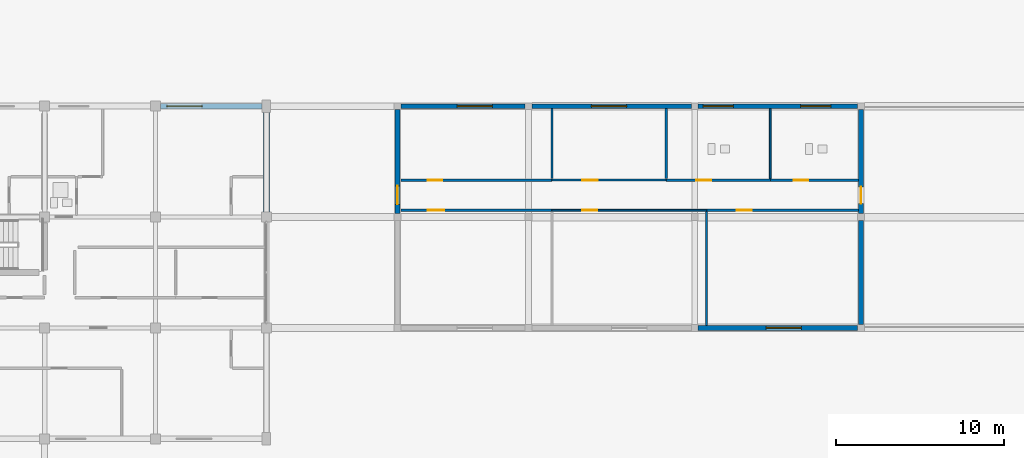
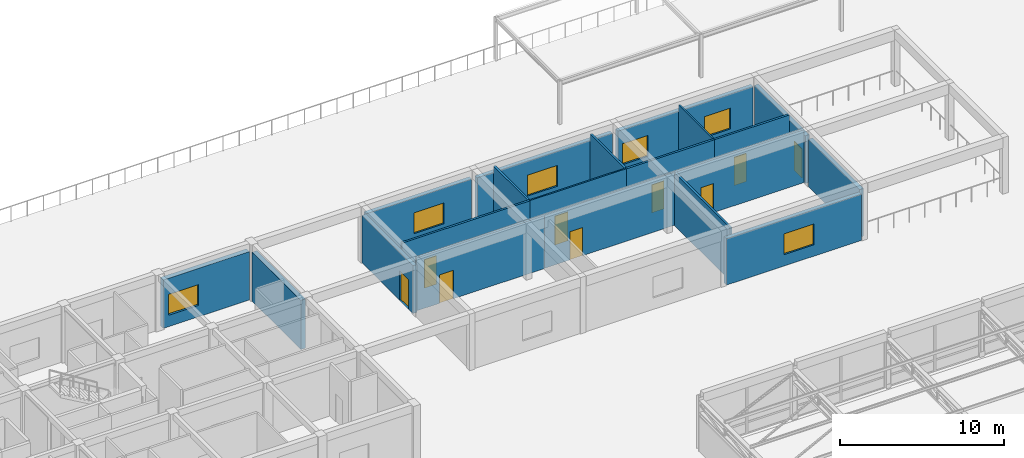
# One storey, part 74 of 92: 20 walls, 9 doors, 6 windows, 15 openings.
"""IFC4 building model written with IfcOpenShell, lengths in metres."""

from ifc_helpers import new_model, si_unit, direction, frame, frame_2d, origin, place, context, subcontext, project, spatial, rectangle, extrude, material, layer, layer_set, type_object, element, fill, save


model = new_model("IFC4")

# Units and contexts
model_context = context("Model", 3, precision=1e-05, world=origin(), true_north=direction((0.0, 1.0)))
body_context = subcontext(model_context, "Body", "Model", "MODEL_VIEW")
ifc_project = project(units=[si_unit("LENGTHUNIT", "METRE"), si_unit("AREAUNIT", "SQUARE_METRE"), si_unit("VOLUMEUNIT", "CUBIC_METRE"), si_unit("PLANEANGLEUNIT", "RADIAN"), si_unit("MASSUNIT", "GRAM", prefix="KILO")], contexts=[model_context])

# Site, building, storey
site_placement = place(None, origin())
site = spatial("IfcSite", under=ifc_project, at=site_placement, CompositionType="ELEMENT")
building_placement = place(site_placement, origin())
building = spatial("IfcBuilding", under=site, at=building_placement, Name="Kernevlak Ridge Housing Community", CompositionType="ELEMENT")
storey_placement = place(building_placement, frame((0.0, 0.0, 4.199951171875)))
storey = spatial("IfcBuildingStorey", under=building, at=storey_placement, Name="L01", CompositionType="ELEMENT", Elevation=4.199951171875)

# Wall, opening, window
ifc_material_1 = material(Name="Concrete block masonry M10", Category="masonry")
ifc_layer_1 = layer(ifc_material_1, 0.280029296875, Name="Concrete block masonry M10")
ifc_layer_set_1 = layer_set([ifc_layer_1], Name="Concrete block masonry M10")
wall_type_1 = type_object("IfcWallType", Name="EW-03", PredefinedType="STANDARD", material=ifc_layer_set_1)
wall_1_placement = place(storey_placement, frame((56.60009765625, 95.800048828125, 0.0), z_axis=(0.0, 0.0, 1.0), x_axis=(1.0, 0.0, 0.0)))
wall_1 = element("IfcWall", 1, at=wall_1_placement, inside=storey, type_object=wall_type_1, Name="Exterior wall EW-03 L01 920", PredefinedType="STANDARD", context=body_context, shape_type="SweptSolid", body=[
    extrude(rectangle(XDim=7.39990234375, YDim=0.280029296875, at=frame_2d((3.699951171875, 0.0))), origin(), (0.0, 0.0, 1.0), 3.5),
])
opening_1_placement = place(wall_1_placement, frame((3.35009765625, 0.0, 0.85009765625)))
opening_1 = element("IfcOpeningElement", 2, at=opening_1_placement, cuts=wall_1, Name="Opening WT-05", PredefinedType="OPENING", context=body_context, shape_type="SweptSolid", body=[
    extrude(rectangle(XDim=2.10009765625, YDim=1.550048828125, at=frame_2d((1.050048828125, 0.77490234375))), frame((0.0, 0.14990234375, 0.0), z_axis=(0.0, -1.0, 0.0), x_axis=(1.0, 0.0, 0.0)), (0.0, 0.0, 1.0), 0.300048828125),
])
ifc_material_2 = material(Name="Aluminium EN AW-6060 anodised and laminated glass", Category="aluminium")
window_type_1 = type_object("IfcWindowType", Name="WT-05", PartitioningType="SINGLE_PANEL", PredefinedType="WINDOW", material=ifc_material_2)
window_1_placement = place(opening_1_placement, origin())
window_1 = element("IfcWindow", 3, at=window_1_placement, inside=storey, type_object=window_type_1, Name="Window WT-05 L01 702", OverallHeight=1.550048828125, OverallWidth=2.10009765625, PartitioningType="SINGLE_PANEL", PredefinedType="WINDOW", context=body_context, shape_type="SweptSolid", body=[
    extrude(rectangle(XDim=2.10009765625, YDim=1.550048828125, at=frame_2d((1.050048828125, 0.77490234375))), frame((0.0, 0.030029296875, 0.0), z_axis=(0.0, -1.0, 0.0), x_axis=(1.0, 0.0, 0.0)), (0.0, 0.0, 1.0), 0.06005859375),
])
fill(opening_1, window_1)

wall_2_placement = place(storey_placement, frame((64.39990234375, 95.800048828125, 0.0), z_axis=(0.0, 0.0, 1.0), x_axis=(1.0, 0.0, 0.0)))
wall_2 = element("IfcWall", 4, at=wall_2_placement, inside=storey, type_object=wall_type_1, Name="Exterior wall EW-03 L01 922", PredefinedType="STANDARD", context=body_context, shape_type="SweptSolid", body=[
    extrude(rectangle(XDim=9.5, YDim=0.280029296875, at=frame_2d((4.75, 0.0))), origin(), (0.0, 0.0, 1.0), 3.449951171875),
])
opening_2_placement = place(wall_2_placement, frame((3.550048828125, 0.0, 0.85009765625)))
opening_2 = element("IfcOpeningElement", 5, at=opening_2_placement, cuts=wall_2, Name="Opening WT-05", PredefinedType="OPENING", context=body_context, shape_type="SweptSolid", body=[
    extrude(rectangle(XDim=2.10009765625, YDim=1.550048828125, at=frame_2d((1.050048828125, 0.77490234375))), frame((0.0, 0.14990234375, 0.0), z_axis=(0.0, -1.0, 0.0), x_axis=(1.0, 0.0, 0.0)), (0.0, 0.0, 1.0), 0.300048828125),
])
window_2_placement = place(opening_2_placement, origin())
window_2 = element("IfcWindow", 6, at=window_2_placement, inside=storey, type_object=window_type_1, Name="Window WT-05 L01 703", OverallHeight=1.550048828125, OverallWidth=2.10009765625, PartitioningType="SINGLE_PANEL", PredefinedType="WINDOW", context=body_context, shape_type="SweptSolid", body=[
    extrude(rectangle(XDim=2.10009765625, YDim=1.550048828125, at=frame_2d((1.050048828125, 0.77490234375))), frame((0.0, 0.030029296875, 0.0), z_axis=(0.0, -1.0, 0.0), x_axis=(1.0, 0.0, 0.0)), (0.0, 0.0, 1.0), 0.06005859375),
])
fill(opening_2, window_2)

wall_3_placement = place(storey_placement, frame((74.300048828125, 82.60009765625, 0.0), z_axis=(0.0, 0.0, 1.0), x_axis=(1.0, 0.0, 0.0)))
wall_3 = element("IfcWall", 7, at=wall_3_placement, inside=storey, type_object=wall_type_1, Name="Exterior wall EW-03 L01 923", PredefinedType="STANDARD", context=body_context, shape_type="SweptSolid", body=[
    extrude(rectangle(XDim=9.5, YDim=0.280029296875, at=frame_2d((4.75, 0.0))), origin(), (0.0, 0.0, 1.0), 3.449951171875),
])
opening_3_placement = place(wall_3_placement, frame((4.050048828125, 0.0, 0.85009765625)))
opening_3 = element("IfcOpeningElement", 8, at=opening_3_placement, cuts=wall_3, Name="Opening WT-05", PredefinedType="OPENING", context=body_context, shape_type="SweptSolid", body=[
    extrude(rectangle(XDim=2.10009765625, YDim=1.550048828125, at=frame_2d((1.050048828125, 0.77490234375))), frame((0.0, 0.14990234375, 0.0), z_axis=(0.0, -1.0, 0.0), x_axis=(1.0, 0.0, 0.0)), (0.0, 0.0, 1.0), 0.300048828125),
])
window_3_placement = place(opening_3_placement, origin())
window_3 = element("IfcWindow", 9, at=window_3_placement, inside=storey, type_object=window_type_1, Name="Window WT-05 L01 701", OverallHeight=1.550048828125, OverallWidth=2.10009765625, PartitioningType="SINGLE_PANEL", PredefinedType="WINDOW", context=body_context, shape_type="SweptSolid", body=[
    extrude(rectangle(XDim=2.10009765625, YDim=1.550048828125, at=frame_2d((1.050048828125, 0.77490234375))), frame((0.0, 0.030029296875, 0.0), z_axis=(0.0, -1.0, 0.0), x_axis=(1.0, 0.0, 0.0)), (0.0, 0.0, 1.0), 0.06005859375),
])
fill(opening_3, window_3)

# Wall, openings, windows
wall_4_placement = place(storey_placement, frame((74.300048828125, 95.800048828125, 0.0), z_axis=(0.0, 0.0, 1.0), x_axis=(1.0, 0.0, 0.0)))
wall_4 = element("IfcWall", 10, at=wall_4_placement, inside=storey, type_object=wall_type_1, Name="Exterior wall EW-03 L01 924", PredefinedType="STANDARD", context=body_context, shape_type="SweptSolid", body=[
    extrude(rectangle(XDim=9.5, YDim=0.280029296875, at=frame_2d((4.75, 0.0))), origin(), (0.0, 0.0, 1.0), 3.449951171875),
])
opening_4_placement = place(wall_4_placement, frame((0.300048828125, 0.0, 0.85009765625)))
opening_4 = element("IfcOpeningElement", 11, at=opening_4_placement, cuts=wall_4, Name="Opening WT-04", PredefinedType="OPENING", context=body_context, shape_type="SweptSolid", body=[
    extrude(rectangle(XDim=1.800048828125, YDim=1.550048828125, at=frame_2d((0.89990234375, 0.77490234375))), frame((0.0, 0.14990234375, 0.0), z_axis=(0.0, -1.0, 0.0), x_axis=(1.0, 0.0, 0.0)), (0.0, 0.0, 1.0), 0.300048828125),
])
opening_5_placement = place(wall_4_placement, frame((6.10009765625, 0.0, 0.85009765625)))
opening_5 = element("IfcOpeningElement", 12, at=opening_5_placement, cuts=wall_4, Name="Opening WT-04", PredefinedType="OPENING", context=body_context, shape_type="SweptSolid", body=[
    extrude(rectangle(XDim=1.800048828125, YDim=1.550048828125, at=frame_2d((0.89990234375, 0.77490234375))), frame((0.0, 0.14990234375, 0.0), z_axis=(0.0, -1.0, 0.0), x_axis=(1.0, 0.0, 0.0)), (0.0, 0.0, 1.0), 0.300048828125),
])
window_type_2 = type_object("IfcWindowType", Name="WT-04", PartitioningType="SINGLE_PANEL", PredefinedType="WINDOW", material=ifc_material_2)
window_4_placement = place(opening_4_placement, origin())
window_4 = element("IfcWindow", 13, at=window_4_placement, inside=storey, type_object=window_type_2, Name="Window WT-04 L01 704", OverallHeight=1.550048828125, OverallWidth=1.800048828125, PartitioningType="SINGLE_PANEL", PredefinedType="WINDOW", context=body_context, shape_type="SweptSolid", body=[
    extrude(rectangle(XDim=1.800048828125, YDim=1.550048828125, at=frame_2d((0.89990234375, 0.77490234375))), frame((0.0, 0.030029296875, 0.0), z_axis=(0.0, -1.0, 0.0), x_axis=(1.0, 0.0, 0.0)), (0.0, 0.0, 1.0), 0.06005859375),
])
fill(opening_4, window_4)
window_5_placement = place(opening_5_placement, origin())
window_5 = element("IfcWindow", 14, at=window_5_placement, inside=storey, type_object=window_type_2, Name="Window WT-04 L01 705", OverallHeight=1.550048828125, OverallWidth=1.800048828125, PartitioningType="SINGLE_PANEL", PredefinedType="WINDOW", context=body_context, shape_type="SweptSolid", body=[
    extrude(rectangle(XDim=1.800048828125, YDim=1.550048828125, at=frame_2d((0.89990234375, 0.77490234375))), frame((0.0, 0.030029296875, 0.0), z_axis=(0.0, -1.0, 0.0), x_axis=(1.0, 0.0, 0.0)), (0.0, 0.0, 1.0), 0.06005859375),
])
fill(opening_5, window_5)

# Wall, opening, door
wall_5_placement = place(storey_placement, frame((56.39990234375, 89.39990234375, 0.0), z_axis=(0.0, 0.0, 1.0), x_axis=(0.0, 1.0, 0.0)))
wall_5 = element("IfcWall", 15, at=wall_5_placement, inside=storey, type_object=wall_type_1, Name="Exterior wall EW-03 L01 926", PredefinedType="STANDARD", context=body_context, shape_type="SweptSolid", body=[
    extrude(rectangle(XDim=6.2001953125, YDim=0.280029296875, at=frame_2d((3.10009765625, 0.0))), origin(), (0.0, 0.0, 1.0), 3.550048828125),
])
opening_6_placement = place(wall_5_placement, frame((0.550048828125, 0.0, 0.0)))
opening_6 = element("IfcOpeningElement", 16, at=opening_6_placement, cuts=wall_5, Name="Opening E826", PredefinedType="OPENING", context=body_context, shape_type="SweptSolid", body=[
    extrude(rectangle(XDim=1.10009765625, YDim=2.199951171875, at=frame_2d((0.550048828125, 1.10009765625))), frame((0.0, 0.14990234375, 0.0), z_axis=(0.0, -1.0, 0.0), x_axis=(1.0, 0.0, 0.0)), (0.0, 0.0, 1.0), 0.300048828125),
])
ifc_material_3 = material(Name="Aluminium EN AW-6060 and laminated safety glass", Category="aluminium")
door_type_1 = type_object("IfcDoorType", Name="DT-11", OperationType="NOTDEFINED", PredefinedType="DOOR", material=ifc_material_3)
door_1_placement = place(opening_6_placement, origin())
door_1 = element("IfcDoor", 17, at=door_1_placement, inside=storey, type_object=door_type_1, Name="Community Nursery main plaza entrance E826", OperationType="SINGLE_SWING_LEFT", OverallHeight=2.199951171875, OverallWidth=1.10009765625, PredefinedType="DOOR", context=body_context, shape_type="SweptSolid", body=[
    extrude(rectangle(XDim=1.10009765625, YDim=2.199951171875, at=frame_2d((0.550048828125, 1.10009765625))), frame((0.0, 0.02490234375, 0.0), z_axis=(0.0, -1.0, 0.0), x_axis=(1.0, 0.0, 0.0)), (0.0, 0.0, 1.0), 0.050048828125),
])
fill(opening_6, door_1)

# Wall
wall_6_placement = place(storey_placement, frame((84.0, 82.800048828125, 0.0), z_axis=(0.0, 0.0, 1.0), x_axis=(0.0, 1.0, 0.0)))
element("IfcWall", 18, at=wall_6_placement, inside=storey, type_object=wall_type_1, Name="Exterior wall EW-03 L01 927", PredefinedType="STANDARD", context=body_context, shape_type="SweptSolid", body=[
    extrude(rectangle(XDim=6.199951171875, YDim=0.280029296875, at=frame_2d((3.10009765625, 0.0))), origin(), (0.0, 0.0, 1.0), 3.550048828125),
])

# Wall, opening, door
wall_7_placement = place(storey_placement, frame((84.0, 89.39990234375, 0.0), z_axis=(0.0, 0.0, 1.0), x_axis=(0.0, 1.0, 0.0)))
wall_7 = element("IfcWall", 19, at=wall_7_placement, inside=storey, type_object=wall_type_1, Name="Exterior wall EW-03 L01 928", PredefinedType="STANDARD", context=body_context, shape_type="SweptSolid", body=[
    extrude(rectangle(XDim=6.2001953125, YDim=0.280029296875, at=frame_2d((3.10009765625, 0.0))), origin(), (0.0, 0.0, 1.0), 3.550048828125),
])
opening_7_placement = place(wall_7_placement, frame((0.60009765625, 0.0, 0.0)))
opening_7 = element("IfcOpeningElement", 20, at=opening_7_placement, cuts=wall_7, Name="Opening E827", PredefinedType="OPENING", context=body_context, shape_type="SweptSolid", body=[
    extrude(rectangle(XDim=1.0, YDim=2.14990234375, at=frame_2d((0.5, 1.074951171875))), frame((0.0, 0.14990234375, 0.0), z_axis=(0.0, -1.0, 0.0), x_axis=(1.0, 0.0, 0.0)), (0.0, 0.0, 1.0), 0.300048828125),
])
door_type_2 = type_object("IfcDoorType", Name="DT-08", OperationType="NOTDEFINED", PredefinedType="DOOR", material=ifc_material_3)
door_2_placement = place(opening_7_placement, origin())
door_2 = element("IfcDoor", 21, at=door_2_placement, inside=storey, type_object=door_type_2, Name="Nursery outdoor play terrace glazed door E827", OperationType="SINGLE_SWING_RIGHT", OverallHeight=2.14990234375, OverallWidth=1.0, PredefinedType="DOOR", context=body_context, shape_type="SweptSolid", body=[
    extrude(rectangle(XDim=1.0, YDim=2.14990234375, at=frame_2d((0.5, 1.074951171875))), frame((0.0, 0.02490234375, 0.0), z_axis=(0.0, -1.0, 0.0), x_axis=(1.0, 0.0, 0.0)), (0.0, 0.0, 1.0), 0.050048828125),
])
fill(opening_7, door_2)

# Wall, opening, window
ifc_layer_2 = layer(ifc_material_1, 0.340087890625, Name="Concrete block masonry M10")
ifc_layer_set_2 = layer_set([ifc_layer_2], Name="Concrete block masonry M10")
wall_type_2 = type_object("IfcWallType", Name="EW-04", PredefinedType="STANDARD", material=ifc_layer_set_2)
wall_8_placement = place(storey_placement, frame((42.300048828125, 95.800048828125, 0.0), z_axis=(0.0, 0.0, 1.0), x_axis=(1.0, 0.0, 0.0)))
wall_8 = element("IfcWall", 22, at=wall_8_placement, inside=storey, type_object=wall_type_2, Name="Exterior wall EW-04 L01 24", PredefinedType="STANDARD", context=body_context, shape_type="SweptSolid", body=[
    extrude(rectangle(XDim=6.050048828125, YDim=0.340087890625, at=frame_2d((3.02490234375, 0.0))), origin(), (0.0, 0.0, 1.0), 3.60009765625),
])
opening_8_placement = place(wall_8_placement, frame((0.375, 0.0, 0.85009765625)))
opening_8 = element("IfcOpeningElement", 23, at=opening_8_placement, cuts=wall_8, Name="Opening WT-05", PredefinedType="OPENING", context=body_context, shape_type="SweptSolid", body=[
    extrude(rectangle(XDim=2.10009765625, YDim=1.550048828125, at=frame_2d((1.050048828125, 0.77490234375))), frame((0.0, 0.179931640625, 0.0), z_axis=(0.0, -1.0, 0.0), x_axis=(1.0, 0.0, 0.0)), (0.0, 0.0, 1.0), 0.360107421875),
])
window_6_placement = place(opening_8_placement, origin())
window_6 = element("IfcWindow", 24, at=window_6_placement, inside=storey, type_object=window_type_1, Name="Window WT-05 L01 21", OverallHeight=1.550048828125, OverallWidth=2.10009765625, PartitioningType="SINGLE_PANEL", PredefinedType="WINDOW", context=body_context, shape_type="SweptSolid", body=[
    extrude(rectangle(XDim=2.10009765625, YDim=1.550048828125, at=frame_2d((1.050048828125, 0.77490234375))), frame((0.0, 0.030029296875, 0.0), z_axis=(0.0, -1.0, 0.0), x_axis=(1.0, 0.0, 0.0)), (0.0, 0.0, 1.0), 0.06005859375),
])
fill(opening_8, window_6)

# Wall
wall_9_placement = place(storey_placement, frame((48.60009765625, 89.5, 0.0), z_axis=(0.0, 0.0, 1.0), x_axis=(0.0, 1.0, 0.0)))
element("IfcWall", 25, at=wall_9_placement, inside=storey, type_object=wall_type_2, Name="Exterior wall EW-04 L01 28", PredefinedType="STANDARD", context=body_context, shape_type="SweptSolid", body=[
    extrude(rectangle(XDim=5.925048828125, YDim=0.340087890625, at=frame_2d((2.96240234375, 0.0))), origin(), (0.0, 0.0, 1.0), 3.650146484375),
])

# Wall, opening, door
ifc_layer_3 = layer(ifc_material_1, 0.14501953125, Name="Concrete block masonry M10")
ifc_layer_set_3 = layer_set([ifc_layer_3], Name="Concrete block masonry M10")
wall_type_3 = type_object("IfcWallType", Name="PW-03", PredefinedType="PARTITIONING", material=ifc_layer_set_3)
wall_10_placement = place(storey_placement, frame((56.60009765625, 89.60009765625, 0.0), z_axis=(0.0, 0.0, 1.0), x_axis=(1.0, 0.0, 0.0)))
wall_10 = element("IfcWall", 26, at=wall_10_placement, inside=storey, type_object=wall_type_3, Name="Interior wall PW-03 WAL-INT-L01-3580", PredefinedType="PARTITIONING", context=body_context, shape_type="SweptSolid", body=[
    extrude(rectangle(XDim=9.0, YDim=0.14501953125, at=frame_2d((4.5, 0.0))), origin(), (0.0, 0.0, 1.0), 3.93994140625),
])
opening_9_placement = place(wall_10_placement, frame((1.60009765625, 0.0, 0.0)))
opening_9 = element("IfcOpeningElement", 27, at=opening_9_placement, cuts=wall_10, Name="Opening E819", PredefinedType="OPENING", context=body_context, shape_type="SweptSolid", body=[
    extrude(rectangle(XDim=0.97998046875, YDim=2.1201171875, at=frame_2d((0.489990234375, 1.06005859375))), frame((0.0, 0.08251953125, 0.0), z_axis=(0.0, -1.0, 0.0), x_axis=(1.0, 0.0, 0.0)), (0.0, 0.0, 1.0), 0.1650390625),
])
ifc_material_4 = material(Name="Hardwood timber leaf", Category="wood")
door_type_3 = type_object("IfcDoorType", Name="DT-24", OperationType="NOTDEFINED", PredefinedType="DOOR", material=ifc_material_4)
door_3_placement = place(opening_9_placement, origin())
door_3 = element("IfcDoor", 28, at=door_3_placement, inside=storey, type_object=door_type_3, Name="Nursery Classroom 1 door E819", OperationType="SINGLE_SWING_RIGHT", OverallHeight=2.1201171875, OverallWidth=0.97998046875, PredefinedType="DOOR", context=body_context, shape_type="SweptSolid", body=[
    extrude(rectangle(XDim=0.97998046875, YDim=2.1201171875, at=frame_2d((0.489990234375, 1.06005859375))), frame((0.0, 0.02490234375, 0.0), z_axis=(0.0, -1.0, 0.0), x_axis=(1.0, 0.0, 0.0)), (0.0, 0.0, 1.0), 0.050048828125),
])
fill(opening_9, door_3)

wall_11_placement = place(storey_placement, frame((74.800048828125, 89.60009765625, 0.0), z_axis=(0.0, 0.0, 1.0), x_axis=(1.0, 0.0, 0.0)))
wall_11 = element("IfcWall", 29, at=wall_11_placement, inside=storey, type_object=wall_type_3, Name="Interior wall PW-03 WAL-INT-L01-3583", PredefinedType="PARTITIONING", context=body_context, shape_type="SweptSolid", body=[
    extrude(rectangle(XDim=9.050048828125, YDim=0.14501953125, at=frame_2d((4.52490234375, 0.0))), origin(), (0.0, 0.0, 1.0), 3.93994140625),
])
opening_10_placement = place(wall_11_placement, frame((1.800048828125, 0.0, 0.0)))
opening_10 = element("IfcOpeningElement", 30, at=opening_10_placement, cuts=wall_11, Name="Opening E821", PredefinedType="OPENING", context=body_context, shape_type="SweptSolid", body=[
    extrude(rectangle(XDim=0.8798828125, YDim=2.159912109375, at=frame_2d((0.43994140625, 1.080078125))), frame((0.0, 0.08251953125, 0.0), z_axis=(0.0, -1.0, 0.0), x_axis=(1.0, 0.0, 0.0)), (0.0, 0.0, 1.0), 0.1650390625),
])
door_type_4 = type_object("IfcDoorType", Name="DT-26", OperationType="NOTDEFINED", PredefinedType="DOOR", material=ifc_material_4)
door_4_placement = place(opening_10_placement, origin())
door_4 = element("IfcDoor", 31, at=door_4_placement, inside=storey, type_object=door_type_4, Name="Nursery Activity Room door E821", OperationType="SINGLE_SWING_RIGHT", OverallHeight=2.159912109375, OverallWidth=0.8798828125, PredefinedType="DOOR", context=body_context, shape_type="SweptSolid", body=[
    extrude(rectangle(XDim=0.8798828125, YDim=2.159912109375, at=frame_2d((0.43994140625, 1.080078125))), frame((0.0, 0.02490234375, 0.0), z_axis=(0.0, -1.0, 0.0), x_axis=(1.0, 0.0, 0.0)), (0.0, 0.0, 1.0), 0.050048828125),
])
fill(opening_10, door_4)

# Wall
wall_12_placement = place(storey_placement, frame((74.800048828125, 82.75, 0.0), z_axis=(0.0, 0.0, 1.0), x_axis=(0.0, 1.0, 0.0)))
element("IfcWall", 32, at=wall_12_placement, inside=storey, type_object=wall_type_3, Name="Interior wall PW-03 WAL-INT-L01-3584", PredefinedType="PARTITIONING", context=body_context, shape_type="SweptSolid", body=[
    extrude(rectangle(XDim=6.767578125, YDim=0.14501953125, at=frame_2d((3.3837890625, 0.0))), origin(), (0.0, 0.0, 1.0), 3.93994140625),
])

# Wall, opening, door
wall_13_placement = place(storey_placement, frame((56.60009765625, 91.39990234375, 0.0), z_axis=(0.0, 0.0, 1.0), x_axis=(1.0, 0.0, 0.0)))
wall_13 = element("IfcWall", 33, at=wall_13_placement, inside=storey, type_object=wall_type_3, Name="Interior wall PW-03 WAL-INT-L01-3585", PredefinedType="PARTITIONING", context=body_context, shape_type="SweptSolid", body=[
    extrude(rectangle(XDim=9.0, YDim=0.14501953125, at=frame_2d((4.5, 0.0))), origin(), (0.0, 0.0, 1.0), 3.93994140625),
])
opening_11_placement = place(wall_13_placement, frame((1.60009765625, 0.0, 0.0)))
opening_11 = element("IfcOpeningElement", 34, at=opening_11_placement, cuts=wall_13, Name="Opening E822", PredefinedType="OPENING", context=body_context, shape_type="SweptSolid", body=[
    extrude(rectangle(XDim=0.860107421875, YDim=2.1201171875, at=frame_2d((0.43017578125, 1.06005859375))), frame((0.0, 0.08251953125, 0.0), z_axis=(0.0, -1.0, 0.0), x_axis=(1.0, 0.0, 0.0)), (0.0, 0.0, 1.0), 0.1650390625),
])
door_type_5 = type_object("IfcDoorType", Name="DT-28", OperationType="NOTDEFINED", PredefinedType="DOOR", material=ifc_material_4)
door_5_placement = place(opening_11_placement, origin())
door_5 = element("IfcDoor", 35, at=door_5_placement, inside=storey, type_object=door_type_5, Name="Nursery Nap Room door E822", OperationType="SINGLE_SWING_LEFT", OverallHeight=2.1201171875, OverallWidth=0.860107421875, PredefinedType="DOOR", context=body_context, shape_type="SweptSolid", body=[
    extrude(rectangle(XDim=0.860107421875, YDim=2.1201171875, at=frame_2d((0.43017578125, 1.06005859375))), frame((0.0, 0.02490234375, 0.0), z_axis=(0.0, -1.0, 0.0), x_axis=(1.0, 0.0, 0.0)), (0.0, 0.0, 1.0), 0.050048828125),
])
fill(opening_11, door_5)

# Wall
wall_14_placement = place(storey_placement, frame((65.60009765625, 91.482421875, 0.0), z_axis=(0.0, 0.0, 1.0), x_axis=(0.0, 1.0, 0.0)))
element("IfcWall", 36, at=wall_14_placement, inside=storey, type_object=wall_type_3, Name="Interior wall PW-03 WAL-INT-L01-3587", PredefinedType="PARTITIONING", context=body_context, shape_type="SweptSolid", body=[
    extrude(rectangle(XDim=4.16748046875, YDim=0.14501953125, at=frame_2d((2.083740234375, 0.0))), origin(), (0.0, 0.0, 1.0), 3.93994140625),
])

# Wall, opening, door
wall_15_placement = place(storey_placement, frame((72.39990234375, 91.39990234375, 0.0), z_axis=(0.0, 0.0, 1.0), x_axis=(1.0, 0.0, 0.0)))
wall_15 = element("IfcWall", 37, at=wall_15_placement, inside=storey, type_object=wall_type_3, Name="Interior wall PW-03 WAL-INT-L01-3588", PredefinedType="PARTITIONING", context=body_context, shape_type="SweptSolid", body=[
    extrude(rectangle(XDim=6.2001953125, YDim=0.14501953125, at=frame_2d((3.10009765625, 0.0))), origin(), (0.0, 0.0, 1.0), 3.93994140625),
])
opening_12_placement = place(wall_15_placement, frame((1.800048828125, 0.0, 0.0)))
opening_12 = element("IfcOpeningElement", 38, at=opening_12_placement, cuts=wall_15, Name="Opening E824", PredefinedType="OPENING", context=body_context, shape_type="SweptSolid", body=[
    extrude(rectangle(XDim=0.8701171875, YDim=2.080078125, at=frame_2d((0.43505859375, 1.0400390625))), frame((0.0, 0.08251953125, 0.0), z_axis=(0.0, -1.0, 0.0), x_axis=(1.0, 0.0, 0.0)), (0.0, 0.0, 1.0), 0.1650390625),
])
door_type_6 = type_object("IfcDoorType", Name="DT-32", OperationType="NOTDEFINED", PredefinedType="DOOR", material=ifc_material_4)
door_6_placement = place(opening_12_placement, origin())
door_6 = element("IfcDoor", 39, at=door_6_placement, inside=storey, type_object=door_type_6, Name="Nursery Children WC door E824", OperationType="SINGLE_SWING_LEFT", OverallHeight=2.080078125, OverallWidth=0.8701171875, PredefinedType="DOOR", context=body_context, shape_type="SweptSolid", body=[
    extrude(rectangle(XDim=0.8701171875, YDim=2.080078125, at=frame_2d((0.43505859375, 1.0400390625))), frame((0.0, 0.02490234375, 0.0), z_axis=(0.0, -1.0, 0.0), x_axis=(1.0, 0.0, 0.0)), (0.0, 0.0, 1.0), 0.050048828125),
])
fill(opening_12, door_6)

# Wall
wall_16_placement = place(storey_placement, frame((72.39990234375, 91.482421875, 0.0), z_axis=(0.0, 0.0, 1.0), x_axis=(0.0, 1.0, 0.0)))
element("IfcWall", 40, at=wall_16_placement, inside=storey, type_object=wall_type_3, Name="Interior wall PW-03 WAL-INT-L01-3589", PredefinedType="PARTITIONING", context=body_context, shape_type="SweptSolid", body=[
    extrude(rectangle(XDim=4.16748046875, YDim=0.14501953125, at=frame_2d((2.083740234375, 0.0))), origin(), (0.0, 0.0, 1.0), 3.93994140625),
])

# Wall, opening, door
wall_17_placement = place(storey_placement, frame((78.60009765625, 91.39990234375, 0.0), z_axis=(0.0, 0.0, 1.0), x_axis=(1.0, 0.0, 0.0)))
wall_17 = element("IfcWall", 41, at=wall_17_placement, inside=storey, type_object=wall_type_3, Name="Interior wall PW-03 WAL-INT-L01-3590", PredefinedType="PARTITIONING", context=body_context, shape_type="SweptSolid", body=[
    extrude(rectangle(XDim=5.25, YDim=0.14501953125, at=frame_2d((2.625, 0.0))), origin(), (0.0, 0.0, 1.0), 3.93994140625),
])
opening_13_placement = place(wall_17_placement, frame((1.39990234375, 0.0, 0.0)))
opening_13 = element("IfcOpeningElement", 42, at=opening_13_placement, cuts=wall_17, Name="Opening E825", PredefinedType="OPENING", context=body_context, shape_type="SweptSolid", body=[
    extrude(rectangle(XDim=0.85009765625, YDim=2.10009765625, at=frame_2d((0.425048828125, 1.050048828125))), frame((0.0, 0.08251953125, 0.0), z_axis=(0.0, -1.0, 0.0), x_axis=(1.0, 0.0, 0.0)), (0.0, 0.0, 1.0), 0.1650390625),
])
door_type_7 = type_object("IfcDoorType", Name="DT-03", OperationType="NOTDEFINED", PredefinedType="DOOR", material=ifc_material_4)
door_7_placement = place(opening_13_placement, origin())
door_7 = element("IfcDoor", 43, at=door_7_placement, inside=storey, type_object=door_type_7, Name="Nursery Accessible WC door E825", OperationType="SINGLE_SWING_RIGHT", OverallHeight=2.10009765625, OverallWidth=0.85009765625, PredefinedType="DOOR", context=body_context, shape_type="SweptSolid", body=[
    extrude(rectangle(XDim=0.85009765625, YDim=2.10009765625, at=frame_2d((0.425048828125, 1.050048828125))), frame((0.0, 0.02490234375, 0.0), z_axis=(0.0, -1.0, 0.0), x_axis=(1.0, 0.0, 0.0)), (0.0, 0.0, 1.0), 0.050048828125),
])
fill(opening_13, door_7)

ifc_material_5 = material(Name="Gypsum plasterboard EN 520", Category="gypsum")
ifc_layer_4 = layer(ifc_material_5, 0.10498046875, Name="Gypsum plasterboard EN 520")
ifc_layer_set_4 = layer_set([ifc_layer_4], Name="Gypsum plasterboard EN 520")
wall_type_4 = type_object("IfcWallType", Name="PW-06", PredefinedType="PARTITIONING", material=ifc_layer_set_4)
wall_18_placement = place(storey_placement, frame((65.60009765625, 89.60009765625, 0.0), z_axis=(0.0, 0.0, 1.0), x_axis=(1.0, 0.0, 0.0)))
wall_18 = element("IfcWall", 44, at=wall_18_placement, inside=storey, type_object=wall_type_4, Name="Interior wall PW-06 WAL-INT-L01-3581", PredefinedType="PARTITIONING", context=body_context, shape_type="SweptSolid", body=[
    extrude(rectangle(XDim=9.199951171875, YDim=0.10498046875, at=frame_2d((4.60009765625, 0.0))), origin(), (0.0, 0.0, 1.0), 3.93994140625),
])
opening_14_placement = place(wall_18_placement, frame((1.800048828125, 0.0, 0.0)))
opening_14 = element("IfcOpeningElement", 45, at=opening_14_placement, cuts=wall_18, Name="Opening E820", PredefinedType="OPENING", context=body_context, shape_type="SweptSolid", body=[
    extrude(rectangle(XDim=0.8798828125, YDim=2.10009765625, at=frame_2d((0.43994140625, 1.050048828125))), frame((0.0, 0.0625, 0.0), z_axis=(0.0, -1.0, 0.0), x_axis=(1.0, 0.0, 0.0)), (0.0, 0.0, 1.0), 0.125),
])
door_type_8 = type_object("IfcDoorType", Name="DT-25", OperationType="NOTDEFINED", PredefinedType="DOOR", material=ifc_material_4)
door_8_placement = place(opening_14_placement, origin())
door_8 = element("IfcDoor", 46, at=door_8_placement, inside=storey, type_object=door_type_8, Name="Nursery Classroom 2 door E820", OperationType="SINGLE_SWING_LEFT", OverallHeight=2.10009765625, OverallWidth=0.8798828125, PredefinedType="DOOR", context=body_context, shape_type="SweptSolid", body=[
    extrude(rectangle(XDim=0.8798828125, YDim=2.10009765625, at=frame_2d((0.43994140625, 1.050048828125))), frame((0.0, 0.02490234375, 0.0), z_axis=(0.0, -1.0, 0.0), x_axis=(1.0, 0.0, 0.0)), (0.0, 0.0, 1.0), 0.050048828125),
])
fill(opening_14, door_8)

wall_19_placement = place(storey_placement, frame((65.60009765625, 91.39990234375, 0.0), z_axis=(0.0, 0.0, 1.0), x_axis=(1.0, 0.0, 0.0)))
wall_19 = element("IfcWall", 47, at=wall_19_placement, inside=storey, type_object=wall_type_4, Name="Interior wall PW-06 WAL-INT-L01-3586", PredefinedType="PARTITIONING", context=body_context, shape_type="SweptSolid", body=[
    extrude(rectangle(XDim=6.7998046875, YDim=0.10498046875, at=frame_2d((3.39990234375, 0.0))), origin(), (0.0, 0.0, 1.0), 3.93994140625),
])
opening_15_placement = place(wall_19_placement, frame((1.800048828125, 0.0, 0.0)))
opening_15 = element("IfcOpeningElement", 48, at=opening_15_placement, cuts=wall_19, Name="Opening E823", PredefinedType="OPENING", context=body_context, shape_type="SweptSolid", body=[
    extrude(rectangle(XDim=0.909912109375, YDim=2.139892578125, at=frame_2d((0.455078125, 1.06982421875))), frame((0.0, 0.0625, 0.0), z_axis=(0.0, -1.0, 0.0), x_axis=(1.0, 0.0, 0.0)), (0.0, 0.0, 1.0), 0.125),
])
door_type_9 = type_object("IfcDoorType", Name="DT-31", OperationType="NOTDEFINED", PredefinedType="DOOR", material=ifc_material_4)
door_9_placement = place(opening_15_placement, origin())
door_9 = element("IfcDoor", 49, at=door_9_placement, inside=storey, type_object=door_type_9, Name="Nursery Management Office door E823", OperationType="SINGLE_SWING_RIGHT", OverallHeight=2.139892578125, OverallWidth=0.909912109375, PredefinedType="DOOR", context=body_context, shape_type="SweptSolid", body=[
    extrude(rectangle(XDim=0.909912109375, YDim=2.139892578125, at=frame_2d((0.455078125, 1.06982421875))), frame((0.0, 0.02490234375, 0.0), z_axis=(0.0, -1.0, 0.0), x_axis=(1.0, 0.0, 0.0)), (0.0, 0.0, 1.0), 0.050048828125),
])
fill(opening_15, door_9)

# Wall
wall_20_placement = place(storey_placement, frame((78.60009765625, 91.482421875, 0.0), z_axis=(0.0, 0.0, 1.0), x_axis=(0.0, 1.0, 0.0)))
element("IfcWall", 50, at=wall_20_placement, inside=storey, type_object=wall_type_4, Name="Interior wall PW-06 WAL-INT-L01-3591", PredefinedType="PARTITIONING", context=body_context, shape_type="SweptSolid", body=[
    extrude(rectangle(XDim=4.16748046875, YDim=0.10498046875, at=frame_2d((2.083740234375, 0.0))), origin(), (0.0, 0.0, 1.0), 3.93994140625),
])

save(model, "model.ifc")
